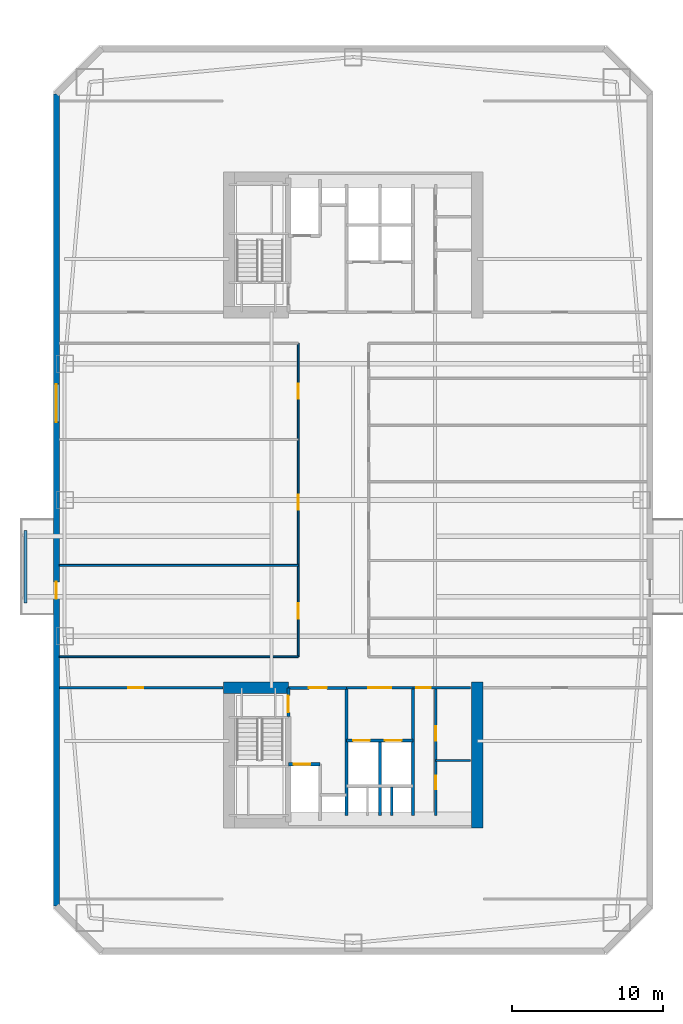
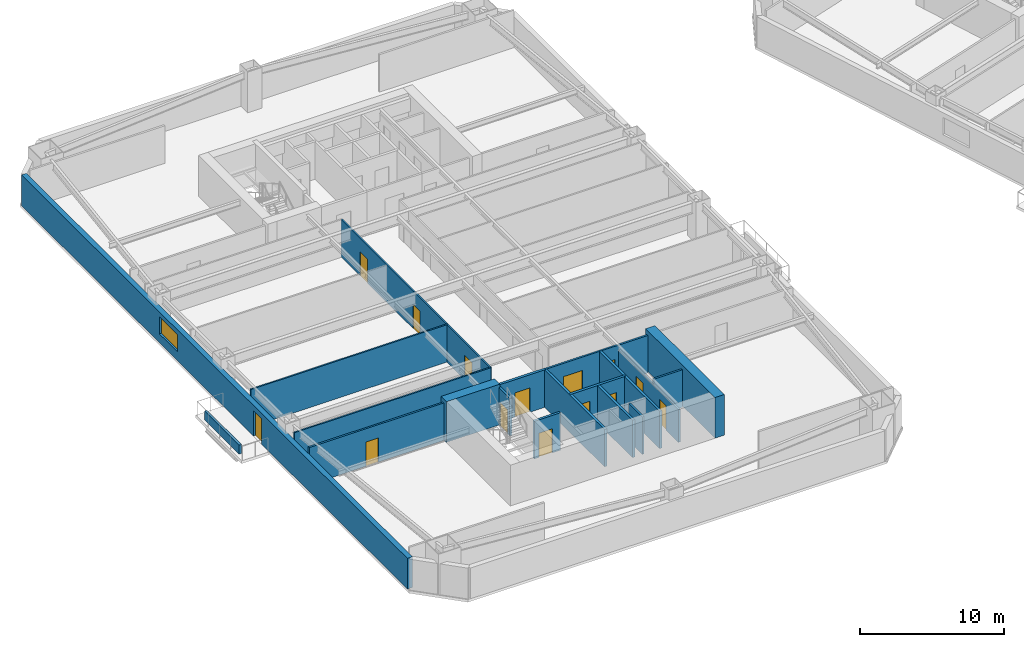
# One storey, part 4 of 15: 20 walls, 14 doors, 1 window, 15 openings.
"""IFC4 building model written with IfcOpenShell, lengths in metres."""

from ifc_helpers import new_model, si_unit, direction, frame, frame_2d, origin, place, context, subcontext, project, spatial, rectangle, extrude, material, layer, layer_set, type_object, element, fill, save


model = new_model("IFC4")

# Units and contexts
model_context = context("Model", 3, precision=1e-05, world=origin(), true_north=direction((0.0, 1.0)))
body_context = subcontext(model_context, "Body", "Model", "MODEL_VIEW")
ifc_project = project(units=[si_unit("LENGTHUNIT", "METRE"), si_unit("AREAUNIT", "SQUARE_METRE"), si_unit("VOLUMEUNIT", "CUBIC_METRE"), si_unit("PLANEANGLEUNIT", "RADIAN"), si_unit("MASSUNIT", "GRAM", prefix="KILO")], contexts=[model_context])

# Site, building, storey
site_placement = place(None, origin())
site = spatial("IfcSite", under=ifc_project, at=site_placement, CompositionType="ELEMENT")
building_placement = place(site_placement, origin())
building = spatial("IfcBuilding", under=site, at=building_placement, Name="Qiaolan Cultural Towers", CompositionType="ELEMENT")
storey_placement = place(building_placement, frame((0.0, 0.0, 60.949951171875)))
storey = spatial("IfcBuildingStorey", under=building, at=storey_placement, Name="L14", CompositionType="ELEMENT", Elevation=60.949951171875)

# Walls
ifc_material_1 = material(Name="Concrete C60", Category="concrete")
ifc_layer_1 = layer(ifc_material_1, 0.75)
ifc_layer_set_1 = layer_set([ifc_layer_1], Name="Concrete C60")
wall_type_1 = type_object("IfcWallType", Name="WL-CORE-750", PredefinedType="SHEAR", material=ifc_layer_set_1)
wall_1_placement = place(storey_placement, frame((38.199951171875, 21.97509765625, 0.0), z_axis=(0.0, 0.0, 1.0), x_axis=(0.0, -1.0, 0.0)))
element("IfcWall", 1, at=wall_1_placement, inside=storey, type_object=wall_type_1, Name="L14 T1-CS East Core Shear Wall", PredefinedType="SHEAR", context=body_context, shape_type="SweptSolid", body=[
    extrude(rectangle(XDim=9.630126953125, YDim=0.75, at=frame_2d((4.81494140625, 0.0))), origin(), (0.0, 0.0, 1.0), 3.449951171875),
])
wall_2_placement = place(storey_placement, frame((21.425048828125, 21.60009765625, 0.0), z_axis=(0.0, 0.0, 1.0), x_axis=(1.0, 0.0, 0.0)))
element("IfcWall", 2, at=wall_2_placement, inside=storey, type_object=wall_type_1, Name="L14 T1-CS Stair Front Shear Wall", PredefinedType="SHEAR", context=body_context, shape_type="SweptSolid", body=[
    extrude(rectangle(XDim=4.294921875, YDim=0.75, at=frame_2d((2.1474609375, 0.0))), origin(), (0.0, 0.0, 1.0), 3.449951171875),
])

# Wall, openings, door, window
ifc_material_2 = material(Name="Precast Concrete C50 Honed Stone Pier", Category="masonry")
ifc_layer_2 = layer(ifc_material_2, 0.39990234375)
ifc_layer_set_2 = layer_set([ifc_layer_2], Name="Precast Concrete C50 Honed Stone Pier")
wall_type_2 = type_object("IfcWallType", Name="WL-EXT-PIER-400", PredefinedType="SOLIDWALL", material=ifc_layer_set_2)
wall_3_placement = place(storey_placement, frame((10.39990234375, 7.199951171875, 0.0), z_axis=(0.0, 0.0, 1.0), x_axis=(0.0, 1.0, 0.0)))
wall_3 = element("IfcWall", 3, at=wall_3_placement, inside=storey, type_object=wall_type_2, Name="L14 West Tower Precast Pier Facade Wall F1", PredefinedType="SOLIDWALL", context=body_context, shape_type="SweptSolid", body=[
    extrude(rectangle(XDim=53.60009765625, YDim=0.39990234375, at=frame_2d((26.800048828125, 0.0))), origin(), (0.0, 0.0, 1.0), 2.610107421875),
])
opening_1_placement = place(wall_3_placement, frame((31.949951171875, 0.0, 0.75)))
opening_1 = element("IfcOpeningElement", 4, at=opening_1_placement, cuts=wall_3, Name="Opening W-01", PredefinedType="OPENING", context=body_context, shape_type="SweptSolid", body=[
    extrude(rectangle(XDim=2.5, YDim=1.4599609375, at=frame_2d((1.25, 0.72998046875))), frame((0.0, 0.2099609375, 0.0), z_axis=(0.0, -1.0, 0.0), x_axis=(1.0, 0.0, 0.0)), (0.0, 0.0, 1.0), 0.419921875),
])
opening_2_placement = place(wall_3_placement, frame((20.29248046875, 0.0, 0.0)))
opening_2 = element("IfcOpeningElement", 5, at=opening_2_placement, cuts=wall_3, Name="Opening BD-01", PredefinedType="OPENING", context=body_context, shape_type="SweptSolid", body=[
    extrude(rectangle(XDim=1.10009765625, YDim=2.14990234375, at=frame_2d((0.550048828125, 1.074951171875))), frame((0.0, 0.2099609375, 0.0), z_axis=(0.0, -1.0, 0.0), x_axis=(1.0, 0.0, 0.0)), (0.0, 0.0, 1.0), 0.419921875),
])
ifc_material_3 = material(Name="Thermally Broken Aluminium Glazed Terrace Door", Category="aluminium")
door_type_1 = type_object("IfcDoorType", Name="DR-BAL-1100", OperationType="NOTDEFINED", PredefinedType="DOOR", material=ifc_material_3)
door_1_placement = place(opening_2_placement, origin())
door_1 = element("IfcDoor", 6, at=door_1_placement, inside=storey, type_object=door_type_1, Name="L14 T1 West Tree Balcony Door", OperationType="SINGLE_SWING_LEFT", OverallHeight=2.14990234375, OverallWidth=1.10009765625, PredefinedType="DOOR", context=body_context, shape_type="SweptSolid", body=[
    extrude(rectangle(XDim=1.10009765625, YDim=2.14990234375, at=frame_2d((0.550048828125, 1.074951171875))), frame((0.0, 0.02490234375, 0.0), z_axis=(0.0, -1.0, 0.0), x_axis=(1.0, 0.0, 0.0)), (0.0, 0.0, 1.0), 0.050048828125),
])
fill(opening_2, door_1)
ifc_material_4 = material(Name="Thermally Broken Aluminium Triple Low-E Glazing", Category="aluminium")
window_type = type_object("IfcWindowType", Name="WN-CHIC-2500", PartitioningType="SINGLE_PANEL", PredefinedType="WINDOW", material=ifc_material_4)
window_placement = place(opening_1_placement, origin())
window = element("IfcWindow", 7, at=window_placement, inside=storey, type_object=window_type, Name="L14 T1 W Chicago Bay Window 1", OverallHeight=1.4599609375, OverallWidth=2.5, PartitioningType="TRIPLE_PANEL_VERTICAL", PredefinedType="WINDOW", context=body_context, shape_type="SweptSolid", body=[
    extrude(rectangle(XDim=2.5, YDim=1.4599609375, at=frame_2d((1.25, 0.72998046875))), frame((0.0, 0.030029296875, 0.0), z_axis=(0.0, -1.0, 0.0), x_axis=(1.0, 0.0, 0.0)), (0.0, 0.0, 1.0), 0.06005859375),
])
fill(opening_1, window)

# Wall, opening, door
ifc_material_5 = material(Name="Concrete C35 Fire Wall", Category="concrete")
ifc_layer_3 = layer(ifc_material_5, 0.199951171875)
ifc_layer_set_3 = layer_set([ifc_layer_3], Name="Concrete C35 Fire Wall")
wall_type_3 = type_object("IfcWallType", Name="WL-FIRE-200", PredefinedType="PARTITIONING", material=ifc_layer_set_3)
wall_4_placement = place(storey_placement, frame((25.719970703125, 21.60009765625, 0.0), z_axis=(0.0, 0.0, 1.0), x_axis=(0.0, -1.0, 0.0)))
wall_4 = element("IfcWall", 8, at=wall_4_placement, inside=storey, type_object=wall_type_3, Name="L14 T1-CS Smokeproof Stair Entry Wall", PredefinedType="PARTITIONING", context=body_context, shape_type="SweptSolid", body=[
    extrude(rectangle(XDim=1.900146484375, YDim=0.199951171875, at=frame_2d((0.9501953125, 0.0))), origin(), (0.0, 0.0, 1.0), 3.175048828125),
])
opening_3_placement = place(wall_4_placement, frame((0.52001953125, 0.0, 0.0)))
opening_3 = element("IfcOpeningElement", 9, at=opening_3_placement, cuts=wall_4, Name="Opening FD-04", PredefinedType="OPENING", context=body_context, shape_type="SweptSolid", body=[
    extrude(rectangle(XDim=1.10009765625, YDim=2.050048828125, at=frame_2d((0.550048828125, 1.02490234375))), frame((0.0, 0.10986328125, 0.0), z_axis=(0.0, -1.0, 0.0), x_axis=(1.0, 0.0, 0.0)), (0.0, 0.0, 1.0), 0.219970703125),
])
ifc_material_6 = material(Name="Galvanized Steel Command Fire Door", Category="steel")
door_type_2 = type_object("IfcDoorType", Name="DR-FD90-1100", OperationType="NOTDEFINED", PredefinedType="DOOR", material=ifc_material_6)
door_2_placement = place(opening_3_placement, origin())
door_2 = element("IfcDoor", 10, at=door_2_placement, inside=storey, type_object=door_type_2, Name="L14 ST-W1 Smokeproof Stair Fire Door", OperationType="SINGLE_SWING_LEFT", OverallHeight=2.050048828125, OverallWidth=1.10009765625, PredefinedType="DOOR", context=body_context, shape_type="SweptSolid", body=[
    extrude(rectangle(XDim=1.10009765625, YDim=2.050048828125, at=frame_2d((0.550048828125, 1.02490234375))), frame((0.0, 0.02490234375, 0.0), z_axis=(0.0, -1.0, 0.0), x_axis=(1.0, 0.0, 0.0)), (0.0, 0.0, 1.0), 0.050048828125),
])
fill(opening_3, door_2)

# Wall
wall_5_placement = place(storey_placement, frame((29.550048828125, 21.60009765625, 0.0), z_axis=(0.0, 0.0, 1.0), x_axis=(0.0, -1.0, 0.0)))
element("IfcWall", 11, at=wall_5_placement, inside=storey, type_object=wall_type_3, Name="L14 T1-CS Firefighting Zone Wall", PredefinedType="PARTITIONING", context=body_context, shape_type="SweptSolid", body=[
    extrude(rectangle(XDim=8.43017578125, YDim=0.199951171875, at=frame_2d((4.215087890625, 0.0))), origin(), (0.0, 0.0, 1.0), 3.175048828125),
])

# Wall, opening, door
wall_6_placement = place(storey_placement, frame((25.719970703125, 21.60009765625, 0.0), z_axis=(0.0, 0.0, 1.0), x_axis=(1.0, 0.0, 0.0)))
wall_6 = element("IfcWall", 12, at=wall_6_placement, inside=storey, type_object=wall_type_3, Name="L14 T1-CS Firefighting Lobby Front Wall", PredefinedType="PARTITIONING", context=body_context, shape_type="SweptSolid", body=[
    extrude(rectangle(XDim=3.830078125, YDim=0.199951171875, at=frame_2d((1.9150390625, 0.0))), origin(), (0.0, 0.0, 1.0), 3.175048828125),
])
opening_4_placement = place(wall_6_placement, frame((1.35009765625, 0.0, 0.0)))
opening_4 = element("IfcOpeningElement", 13, at=opening_4_placement, cuts=wall_6, Name="Opening FD-03", PredefinedType="OPENING", context=body_context, shape_type="SweptSolid", body=[
    extrude(rectangle(XDim=1.199951171875, YDim=2.050048828125, at=frame_2d((0.60009765625, 1.02490234375))), frame((0.0, 0.10986328125, 0.0), z_axis=(0.0, -1.0, 0.0), x_axis=(1.0, 0.0, 0.0)), (0.0, 0.0, 1.0), 0.219970703125),
])
ifc_material_7 = material(Name="Galvanized Steel Smokeproof Lobby Fire Door", Category="steel")
door_type_3 = type_object("IfcDoorType", Name="DR-FD90-1200", OperationType="NOTDEFINED", PredefinedType="DOOR", material=ifc_material_7)
door_3_placement = place(opening_4_placement, origin())
door_3 = element("IfcDoor", 14, at=door_3_placement, inside=storey, type_object=door_type_3, Name="L14 FFL-W1 Firefighting Lobby Fire Door", OperationType="SINGLE_SWING_LEFT", OverallHeight=2.050048828125, OverallWidth=1.199951171875, PredefinedType="DOOR", context=body_context, shape_type="SweptSolid", body=[
    extrude(rectangle(XDim=1.199951171875, YDim=2.050048828125, at=frame_2d((0.60009765625, 1.02490234375))), frame((0.0, 0.02490234375, 0.0), z_axis=(0.0, -1.0, 0.0), x_axis=(1.0, 0.0, 0.0)), (0.0, 0.0, 1.0), 0.050048828125),
])
fill(opening_4, door_3)

wall_7_placement = place(storey_placement, frame((25.719970703125, 16.550048828125, 0.0), z_axis=(0.0, 0.0, 1.0), x_axis=(1.0, 0.0, 0.0)))
wall_7 = element("IfcWall", 15, at=wall_7_placement, inside=storey, type_object=wall_type_3, Name="L14 T1-CS Firefighting Shaft Front Wall", PredefinedType="PARTITIONING", context=body_context, shape_type="SweptSolid", body=[
    extrude(rectangle(XDim=2.10009765625, YDim=0.199951171875, at=frame_2d((1.050048828125, 0.0))), origin(), (0.0, 0.0, 1.0), 3.175048828125),
])
opening_5_placement = place(wall_7_placement, frame((0.35009765625, 0.0, 0.0)))
opening_5 = element("IfcOpeningElement", 16, at=opening_5_placement, cuts=wall_7, Name="Opening LD-01", PredefinedType="OPENING", context=body_context, shape_type="SweptSolid", body=[
    extrude(rectangle(XDim=1.10009765625, YDim=2.050048828125, at=frame_2d((0.550048828125, 1.02490234375))), frame((0.0, 0.10986328125, 0.0), z_axis=(0.0, -1.0, 0.0), x_axis=(1.0, 0.0, 0.0)), (0.0, 0.0, 1.0), 0.219970703125),
])
ifc_material_8 = material(Name="Brushed Stainless Steel S30408 Centre-Parting Lift Landing Door", Category="steel")
door_type_4 = type_object("IfcDoorType", Name="DR-LIFT-1100", OperationType="NOTDEFINED", PredefinedType="DOOR", material=ifc_material_8)
door_4_placement = place(opening_5_placement, origin())
door_4 = element("IfcDoor", 17, at=door_4_placement, inside=storey, type_object=door_type_4, Name="L14 FFL-W1 Firefighting Lift Landing Door", OperationType="DOUBLE_DOOR_SLIDING", OverallHeight=2.050048828125, OverallWidth=1.10009765625, PredefinedType="DOOR", context=body_context, shape_type="SweptSolid", body=[
    extrude(rectangle(XDim=1.10009765625, YDim=2.050048828125, at=frame_2d((0.550048828125, 1.02490234375))), frame((0.0, 0.02490234375, 0.0), z_axis=(0.0, -1.0, 0.0), x_axis=(1.0, 0.0, 0.0)), (0.0, 0.0, 1.0), 0.050048828125),
])
fill(opening_5, door_4)

# Wall
wall_8_placement = place(storey_placement, frame((33.949951171875, 21.60009765625, 0.0), z_axis=(0.0, 0.0, 1.0), x_axis=(0.0, -1.0, 0.0)))
element("IfcWall", 18, at=wall_8_placement, inside=storey, type_object=wall_type_3, Name="L14 T1-CS Lift Core East Wall", PredefinedType="PARTITIONING", context=body_context, shape_type="SweptSolid", body=[
    extrude(rectangle(XDim=8.43017578125, YDim=0.199951171875, at=frame_2d((4.215087890625, 0.0))), origin(), (0.0, 0.0, 1.0), 3.175048828125),
])

# Wall, openings, doors
wall_9_placement = place(storey_placement, frame((29.550048828125, 18.1201171875, 0.0), z_axis=(0.0, 0.0, 1.0), x_axis=(1.0, 0.0, 0.0)))
wall_9 = element("IfcWall", 19, at=wall_9_placement, inside=storey, type_object=wall_type_3, Name="L14 T1-CS Passenger Lift Shaft Front Wall", PredefinedType="PARTITIONING", context=body_context, shape_type="SweptSolid", body=[
    extrude(rectangle(XDim=4.39990234375, YDim=0.199951171875, at=frame_2d((2.199951171875, 0.0))), origin(), (0.0, 0.0, 1.0), 3.175048828125),
])
opening_6_placement = place(wall_9_placement, frame((0.449951171875, 0.0, 0.0)))
opening_6 = element("IfcOpeningElement", 20, at=opening_6_placement, cuts=wall_9, Name="Opening LD-01", PredefinedType="OPENING", context=body_context, shape_type="SweptSolid", body=[
    extrude(rectangle(XDim=1.10009765625, YDim=2.050048828125, at=frame_2d((0.550048828125, 1.02490234375))), frame((0.0, 0.10986328125, 0.0), z_axis=(0.0, -1.0, 0.0), x_axis=(1.0, 0.0, 0.0)), (0.0, 0.0, 1.0), 0.219970703125),
])
opening_7_placement = place(wall_9_placement, frame((2.550048828125, 0.0, 0.0)))
opening_7 = element("IfcOpeningElement", 21, at=opening_7_placement, cuts=wall_9, Name="Opening LD-01", PredefinedType="OPENING", context=body_context, shape_type="SweptSolid", body=[
    extrude(rectangle(XDim=1.10009765625, YDim=2.050048828125, at=frame_2d((0.550048828125, 1.02490234375))), frame((0.0, 0.10986328125, 0.0), z_axis=(0.0, -1.0, 0.0), x_axis=(1.0, 0.0, 0.0)), (0.0, 0.0, 1.0), 0.219970703125),
])
door_5_placement = place(opening_6_placement, origin())
door_5 = element("IfcDoor", 22, at=door_5_placement, inside=storey, type_object=door_type_4, Name="L14 Passenger Lift 1 Landing Door", OperationType="DOUBLE_DOOR_SLIDING", OverallHeight=2.050048828125, OverallWidth=1.10009765625, PredefinedType="DOOR", context=body_context, shape_type="SweptSolid", body=[
    extrude(rectangle(XDim=1.10009765625, YDim=2.050048828125, at=frame_2d((0.550048828125, 1.02490234375))), frame((0.0, 0.02490234375, 0.0), z_axis=(0.0, -1.0, 0.0), x_axis=(1.0, 0.0, 0.0)), (0.0, 0.0, 1.0), 0.050048828125),
])
fill(opening_6, door_5)
door_6_placement = place(opening_7_placement, origin())
door_6 = element("IfcDoor", 23, at=door_6_placement, inside=storey, type_object=door_type_4, Name="L14 Passenger Lift 2 Landing Door", OperationType="DOUBLE_DOOR_SLIDING", OverallHeight=2.050048828125, OverallWidth=1.10009765625, PredefinedType="DOOR", context=body_context, shape_type="SweptSolid", body=[
    extrude(rectangle(XDim=1.10009765625, YDim=2.050048828125, at=frame_2d((0.550048828125, 1.02490234375))), frame((0.0, 0.02490234375, 0.0), z_axis=(0.0, -1.0, 0.0), x_axis=(1.0, 0.0, 0.0)), (0.0, 0.0, 1.0), 0.050048828125),
])
fill(opening_7, door_6)

# Walls
wall_10_placement = place(storey_placement, frame((31.780029296875, 18.1201171875, 0.0), z_axis=(0.0, 0.0, 1.0), x_axis=(0.0, -1.0, 0.0)))
element("IfcWall", 24, at=wall_10_placement, inside=storey, type_object=wall_type_3, Name="L14 T1-CS Lift Shaft Divider Wall", PredefinedType="PARTITIONING", context=body_context, shape_type="SweptSolid", body=[
    extrude(rectangle(XDim=4.9501953125, YDim=0.199951171875, at=frame_2d((2.47509765625, 0.0))), origin(), (0.0, 0.0, 1.0), 3.175048828125),
])
ifc_material_9 = material(Name="Gypsum Stud Acoustic Partition", Category="gypsum")
ifc_layer_4 = layer(ifc_material_9, 0.1201171875)
ifc_layer_set_4 = layer_set([ifc_layer_4], Name="Gypsum Stud Acoustic Partition")
wall_type_4 = type_object("IfcWallType", Name="WL-PART-120", PredefinedType="PARTITIONING", material=ifc_layer_set_4)
wall_11_placement = place(storey_placement, frame((10.60009765625, 23.64990234375, 0.0), z_axis=(0.0, 0.0, 1.0), x_axis=(1.0, 0.0, 0.0)))
element("IfcWall", 25, at=wall_11_placement, inside=storey, type_object=wall_type_4, Name="L14 T1 South Corridor Left Wall", PredefinedType="PARTITIONING", context=body_context, shape_type="SweptSolid", body=[
    extrude(rectangle(XDim=15.77490234375, YDim=0.1201171875, at=frame_2d((7.887451171875, 0.0))), origin(), (0.0, 0.0, 1.0), 3.175048828125),
])

# Wall, openings, doors
wall_12_placement = place(storey_placement, frame((26.375, 23.64990234375, 0.0), z_axis=(0.0, 0.0, 1.0), x_axis=(0.0, 1.0, 0.0)))
wall_12 = element("IfcWall", 26, at=wall_12_placement, inside=storey, type_object=wall_type_4, Name="L14 T1 West Spine Wall", PredefinedType="PARTITIONING", context=body_context, shape_type="SweptSolid", body=[
    extrude(rectangle(XDim=20.7001953125, YDim=0.1201171875, at=frame_2d((10.35009765625, 0.0))), origin(), (0.0, 0.0, 1.0), 3.175048828125),
])
opening_8_placement = place(wall_12_placement, frame((2.517578125, 0.0, 0.0)))
opening_8 = element("IfcOpeningElement", 27, at=opening_8_placement, cuts=wall_12, Name="Opening ID-04", PredefinedType="OPENING", context=body_context, shape_type="SweptSolid", body=[
    extrude(rectangle(XDim=1.0, YDim=2.050048828125, at=frame_2d((0.5, 1.02490234375))), frame((0.0, 0.070068359375, 0.0), z_axis=(0.0, -1.0, 0.0), x_axis=(1.0, 0.0, 0.0)), (0.0, 0.0, 1.0), 0.14013671875),
])
opening_9_placement = place(wall_12_placement, frame((9.6923828125, 0.0, 0.0)))
opening_9 = element("IfcOpeningElement", 28, at=opening_9_placement, cuts=wall_12, Name="Opening ID-04", PredefinedType="OPENING", context=body_context, shape_type="SweptSolid", body=[
    extrude(rectangle(XDim=1.0, YDim=2.050048828125, at=frame_2d((0.5, 1.02490234375))), frame((0.0, 0.070068359375, 0.0), z_axis=(0.0, -1.0, 0.0), x_axis=(1.0, 0.0, 0.0)), (0.0, 0.0, 1.0), 0.14013671875),
])
opening_10_placement = place(wall_12_placement, frame((17.02490234375, 0.0, 0.0)))
opening_10 = element("IfcOpeningElement", 29, at=opening_10_placement, cuts=wall_12, Name="Opening ID-04", PredefinedType="OPENING", context=body_context, shape_type="SweptSolid", body=[
    extrude(rectangle(XDim=1.0, YDim=2.050048828125, at=frame_2d((0.5, 1.02490234375))), frame((0.0, 0.070068359375, 0.0), z_axis=(0.0, -1.0, 0.0), x_axis=(1.0, 0.0, 0.0)), (0.0, 0.0, 1.0), 0.14013671875),
])
ifc_material_10 = material(Name="Oak Veneer Acoustic Office Door", Category="timber")
door_type_5 = type_object("IfcDoorType", Name="DR-INT-1000", OperationType="NOTDEFINED", PredefinedType="DOOR", material=ifc_material_10)
door_7_placement = place(opening_8_placement, origin())
door_7 = element("IfcDoor", 30, at=door_7_placement, inside=storey, type_object=door_type_5, Name="L14 T1 Contemporary Art Salon Door", OperationType="SINGLE_SWING_LEFT", OverallHeight=2.050048828125, OverallWidth=1.0, PredefinedType="DOOR", context=body_context, shape_type="SweptSolid", body=[
    extrude(rectangle(XDim=1.0, YDim=2.050048828125, at=frame_2d((0.5, 1.02490234375))), frame((0.0, 0.02490234375, 0.0), z_axis=(0.0, -1.0, 0.0), x_axis=(1.0, 0.0, 0.0)), (0.0, 0.0, 1.0), 0.050048828125),
])
fill(opening_8, door_7)
door_8_placement = place(opening_9_placement, origin())
door_8 = element("IfcDoor", 31, at=door_8_placement, inside=storey, type_object=door_type_5, Name="L14 T1 Contemporary Art Salon Door", OperationType="SINGLE_SWING_RIGHT", OverallHeight=2.050048828125, OverallWidth=1.0, PredefinedType="DOOR", context=body_context, shape_type="SweptSolid", body=[
    extrude(rectangle(XDim=1.0, YDim=2.050048828125, at=frame_2d((0.5, 1.02490234375))), frame((0.0, 0.02490234375, 0.0), z_axis=(0.0, -1.0, 0.0), x_axis=(1.0, 0.0, 0.0)), (0.0, 0.0, 1.0), 0.050048828125),
])
fill(opening_9, door_8)
door_9_placement = place(opening_10_placement, origin())
door_9 = element("IfcDoor", 32, at=door_9_placement, inside=storey, type_object=door_type_5, Name="L14 T1 Members Reading Club Door", OperationType="SINGLE_SWING_LEFT", OverallHeight=2.050048828125, OverallWidth=1.0, PredefinedType="DOOR", context=body_context, shape_type="SweptSolid", body=[
    extrude(rectangle(XDim=1.0, YDim=2.050048828125, at=frame_2d((0.5, 1.02490234375))), frame((0.0, 0.02490234375, 0.0), z_axis=(0.0, -1.0, 0.0), x_axis=(1.0, 0.0, 0.0)), (0.0, 0.0, 1.0), 0.050048828125),
])
fill(opening_10, door_9)

# Wall
wall_13_placement = place(storey_placement, frame((10.60009765625, 29.68505859375, 0.0), z_axis=(0.0, 0.0, 1.0), x_axis=(1.0, 0.0, 0.0)))
element("IfcWall", 33, at=wall_13_placement, inside=storey, type_object=wall_type_4, Name="L14 T1 West Partition 1", PredefinedType="PARTITIONING", context=body_context, shape_type="SweptSolid", body=[
    extrude(rectangle(XDim=15.77490234375, YDim=0.1201171875, at=frame_2d((7.887451171875, 0.0))), origin(), (0.0, 0.0, 1.0), 3.175048828125),
])

# Wall, opening, door
ifc_material_11 = material(Name="Autoclaved Aerated Concrete Block B06", Category="concrete")
ifc_layer_5 = layer(ifc_material_11, 0.14990234375)
ifc_layer_set_5 = layer_set([ifc_layer_5], Name="Autoclaved Aerated Concrete Block B06")
wall_type_5 = type_object("IfcWallType", Name="WL-PART-150", PredefinedType="PARTITIONING", material=ifc_layer_set_5)
wall_14_placement = place(storey_placement, frame((29.550048828125, 21.60009765625, 0.0), z_axis=(0.0, 0.0, 1.0), x_axis=(1.0, 0.0, 0.0)))
wall_14 = element("IfcWall", 34, at=wall_14_placement, inside=storey, type_object=wall_type_5, Name="L14 T1-CS Passenger Lift Lobby Front Wall", PredefinedType="PARTITIONING", context=body_context, shape_type="SweptSolid", body=[
    extrude(rectangle(XDim=4.39990234375, YDim=0.14990234375, at=frame_2d((2.199951171875, 0.0))), origin(), (0.0, 0.0, 1.0), 3.175048828125),
])
opening_11_placement = place(wall_14_placement, frame((1.449951171875, 0.0, 0.0)))
opening_11 = element("IfcOpeningElement", 35, at=opening_11_placement, cuts=wall_14, Name="Opening FD-05", PredefinedType="OPENING", context=body_context, shape_type="SweptSolid", body=[
    extrude(rectangle(XDim=1.5, YDim=2.050048828125, at=frame_2d((0.75, 1.02490234375))), frame((0.0, 0.0849609375, 0.0), z_axis=(0.0, -1.0, 0.0), x_axis=(1.0, 0.0, 0.0)), (0.0, 0.0, 1.0), 0.169921875),
])
ifc_material_12 = material(Name="Painted Steel Lift Lobby Fire Door", Category="steel")
door_type_6 = type_object("IfcDoorType", Name="DR-FD60-1500", OperationType="NOTDEFINED", PredefinedType="DOOR", material=ifc_material_12)
door_10_placement = place(opening_11_placement, origin())
door_10 = element("IfcDoor", 36, at=door_10_placement, inside=storey, type_object=door_type_6, Name="L14 Passenger Lift Lobby Entrance", OperationType="SINGLE_SWING_LEFT", OverallHeight=2.050048828125, OverallWidth=1.5, PredefinedType="DOOR", context=body_context, shape_type="SweptSolid", body=[
    extrude(rectangle(XDim=1.5, YDim=2.050048828125, at=frame_2d((0.75, 1.02490234375))), frame((0.0, 0.02490234375, 0.0), z_axis=(0.0, -1.0, 0.0), x_axis=(1.0, 0.0, 0.0)), (0.0, 0.0, 1.0), 0.050048828125),
])
fill(opening_11, door_10)

# Wall
wall_15_placement = place(storey_placement, frame((32.550048828125, 15.050048828125, 0.0), z_axis=(0.0, 0.0, 1.0), x_axis=(0.0, -1.0, 0.0)))
element("IfcWall", 37, at=wall_15_placement, inside=storey, type_object=wall_type_5, Name="L14 T1-CS Core Rear Split 2", PredefinedType="PARTITIONING", context=body_context, shape_type="SweptSolid", body=[
    extrude(rectangle(XDim=1.880126953125, YDim=0.14990234375, at=frame_2d((0.93994140625, 0.0))), origin(), (0.0, 0.0, 1.0), 3.175048828125),
])

# Wall, opening, door
wall_16_placement = place(storey_placement, frame((33.949951171875, 21.60009765625, 0.0), z_axis=(0.0, 0.0, 1.0), x_axis=(1.0, 0.0, 0.0)))
wall_16 = element("IfcWall", 38, at=wall_16_placement, inside=storey, type_object=wall_type_5, Name="L14 T1-CS Sanitary Core Front Wall", PredefinedType="PARTITIONING", context=body_context, shape_type="SweptSolid", body=[
    extrude(rectangle(XDim=3.800048828125, YDim=0.14990234375, at=frame_2d((1.89990234375, 0.0))), origin(), (0.0, 0.0, 1.0), 3.175048828125),
])
opening_12_placement = place(wall_16_placement, frame((0.219970703125, 0.0, 0.0)))
opening_12 = element("IfcOpeningElement", 39, at=opening_12_placement, cuts=wall_16, Name="Opening ID-05", PredefinedType="OPENING", context=body_context, shape_type="SweptSolid", body=[
    extrude(rectangle(XDim=0.949951171875, YDim=2.050048828125, at=frame_2d((0.47509765625, 1.02490234375))), frame((0.0, 0.0849609375, 0.0), z_axis=(0.0, -1.0, 0.0), x_axis=(1.0, 0.0, 0.0)), (0.0, 0.0, 1.0), 0.169921875),
])
ifc_material_13 = material(Name="Fire-Rated Laminate Accessible Core Door", Category="timber")
door_type_7 = type_object("IfcDoorType", Name="DR-INT-950", OperationType="NOTDEFINED", PredefinedType="DOOR", material=ifc_material_13)
door_11_placement = place(opening_12_placement, origin())
door_11 = element("IfcDoor", 40, at=door_11_placement, inside=storey, type_object=door_type_7, Name="L14 Sanitary Lobby Door", OperationType="SINGLE_SWING_LEFT", OverallHeight=2.050048828125, OverallWidth=0.949951171875, PredefinedType="DOOR", context=body_context, shape_type="SweptSolid", body=[
    extrude(rectangle(XDim=0.949951171875, YDim=2.050048828125, at=frame_2d((0.47509765625, 1.02490234375))), frame((0.0, 0.02490234375, 0.0), z_axis=(0.0, -1.0, 0.0), x_axis=(1.0, 0.0, 0.0)), (0.0, 0.0, 1.0), 0.050048828125),
])
fill(opening_12, door_11)

# Wall, openings, doors
wall_17_placement = place(storey_placement, frame((35.449951171875, 21.60009765625, 0.0), z_axis=(0.0, 0.0, 1.0), x_axis=(0.0, -1.0, 0.0)))
wall_17 = element("IfcWall", 41, at=wall_17_placement, inside=storey, type_object=wall_type_5, Name="L14 T1-CS Washroom Split Wall", PredefinedType="PARTITIONING", context=body_context, shape_type="SweptSolid", body=[
    extrude(rectangle(XDim=8.43017578125, YDim=0.14990234375, at=frame_2d((4.215087890625, 0.0))), origin(), (0.0, 0.0, 1.0), 2.76513671875),
])
opening_13_placement = place(wall_17_placement, frame((2.550048828125, 0.0, 0.0)))
opening_13 = element("IfcOpeningElement", 42, at=opening_13_placement, cuts=wall_17, Name="Opening ID-05", PredefinedType="OPENING", context=body_context, shape_type="SweptSolid", body=[
    extrude(rectangle(XDim=0.949951171875, YDim=2.050048828125, at=frame_2d((0.47509765625, 1.02490234375))), frame((0.0, 0.0849609375, 0.0), z_axis=(0.0, -1.0, 0.0), x_axis=(1.0, 0.0, 0.0)), (0.0, 0.0, 1.0), 0.169921875),
])
opening_14_placement = place(wall_17_placement, frame((5.800048828125, 0.0, 0.0)))
opening_14 = element("IfcOpeningElement", 43, at=opening_14_placement, cuts=wall_17, Name="Opening ID-06", PredefinedType="OPENING", context=body_context, shape_type="SweptSolid", body=[
    extrude(rectangle(XDim=0.89990234375, YDim=2.050048828125, at=frame_2d((0.449951171875, 1.02490234375))), frame((0.0, 0.0849609375, 0.0), z_axis=(0.0, -1.0, 0.0), x_axis=(1.0, 0.0, 0.0)), (0.0, 0.0, 1.0), 0.169921875),
])
ifc_material_14 = material(Name="Fire-Rated Laminate Core Service Door", Category="timber")
door_type_8 = type_object("IfcDoorType", Name="DR-INT-900", OperationType="NOTDEFINED", PredefinedType="DOOR", material=ifc_material_14)
door_12_placement = place(opening_14_placement, origin())
door_12 = element("IfcDoor", 44, at=door_12_placement, inside=storey, type_object=door_type_8, Name="L14 First-Aid Room Door", OperationType="SINGLE_SWING_RIGHT", OverallHeight=2.050048828125, OverallWidth=0.89990234375, PredefinedType="DOOR", context=body_context, shape_type="SweptSolid", body=[
    extrude(rectangle(XDim=0.89990234375, YDim=2.050048828125, at=frame_2d((0.449951171875, 1.02490234375))), frame((0.0, 0.02490234375, 0.0), z_axis=(0.0, -1.0, 0.0), x_axis=(1.0, 0.0, 0.0)), (0.0, 0.0, 1.0), 0.050048828125),
])
fill(opening_14, door_12)
door_13_placement = place(opening_13_placement, origin())
door_13 = element("IfcDoor", 45, at=door_13_placement, inside=storey, type_object=door_type_7, Name="L14 Accessible Washroom Door", OperationType="SINGLE_SWING_LEFT", OverallHeight=2.050048828125, OverallWidth=0.949951171875, PredefinedType="DOOR", context=body_context, shape_type="SweptSolid", body=[
    extrude(rectangle(XDim=0.949951171875, YDim=2.050048828125, at=frame_2d((0.47509765625, 1.02490234375))), frame((0.0, 0.02490234375, 0.0), z_axis=(0.0, -1.0, 0.0), x_axis=(1.0, 0.0, 0.0)), (0.0, 0.0, 1.0), 0.050048828125),
])
fill(opening_13, door_13)

# Wall
wall_18_placement = place(storey_placement, frame((35.449951171875, 16.800048828125, 0.0), z_axis=(0.0, 0.0, 1.0), x_axis=(1.0, 0.0, 0.0)))
element("IfcWall", 46, at=wall_18_placement, inside=storey, type_object=wall_type_5, Name="L14 T1-CS First-Aid Wall", PredefinedType="PARTITIONING", context=body_context, shape_type="SweptSolid", body=[
    extrude(rectangle(XDim=2.300048828125, YDim=0.14990234375, at=frame_2d((1.14990234375, 0.0))), origin(), (0.0, 0.0, 1.0), 3.175048828125),
])

# Wall, opening, door
wall_19_placement = place(storey_placement, frame((10.60009765625, 21.60009765625, 0.0), z_axis=(0.0, 0.0, 1.0), x_axis=(1.0, 0.0, 0.0)))
wall_19 = element("IfcWall", 47, at=wall_19_placement, inside=storey, type_object=wall_type_5, Name="L14 T1 Flank Front FLK-SW", PredefinedType="PARTITIONING", context=body_context, shape_type="SweptSolid", body=[
    extrude(rectangle(XDim=10.7998046875, YDim=0.14990234375, at=frame_2d((5.39990234375, 0.0))), origin(), (0.0, 0.0, 1.0), 3.175048828125),
])
opening_15_placement = place(wall_19_placement, frame((4.535888671875, 0.0, 0.0)))
opening_15 = element("IfcOpeningElement", 48, at=opening_15_placement, cuts=wall_19, Name="Opening ID-04", PredefinedType="OPENING", context=body_context, shape_type="SweptSolid", body=[
    extrude(rectangle(XDim=1.0, YDim=2.050048828125, at=frame_2d((0.5, 1.02490234375))), frame((0.0, 0.0849609375, 0.0), z_axis=(0.0, -1.0, 0.0), x_axis=(1.0, 0.0, 0.0)), (0.0, 0.0, 1.0), 0.169921875),
])
door_14_placement = place(opening_15_placement, origin())
door_14 = element("IfcDoor", 49, at=door_14_placement, inside=storey, type_object=door_type_5, Name="L14 T1 Corner Studio Door", OperationType="SINGLE_SWING_LEFT", OverallHeight=2.050048828125, OverallWidth=1.0, PredefinedType="DOOR", context=body_context, shape_type="SweptSolid", body=[
    extrude(rectangle(XDim=1.0, YDim=2.050048828125, at=frame_2d((0.5, 1.02490234375))), frame((0.0, 0.02490234375, 0.0), z_axis=(0.0, -1.0, 0.0), x_axis=(1.0, 0.0, 0.0)), (0.0, 0.0, 1.0), 0.050048828125),
])
fill(opening_15, door_14)

# Wall
ifc_material_15 = material(Name="Precast Concrete C45 Tree Planter Upstand", Category="concrete")
ifc_layer_6 = layer(ifc_material_15, 0.199951171875)
ifc_layer_set_6 = layer_set([ifc_layer_6], Name="Precast Concrete C45 Tree Planter Upstand")
wall_type_6 = type_object("IfcWallType", Name="WL-PLANTER-200", PredefinedType="PARAPET", material=ifc_layer_set_6)
wall_20_placement = place(storey_placement, frame((8.35009765625, 27.199951171875, 0.0), z_axis=(0.0, 0.0, 1.0), x_axis=(0.0, 1.0, 0.0)))
element("IfcWall", 50, at=wall_20_placement, inside=storey, type_object=wall_type_6, Name="L14 T1 Tree Balcony Soil Planter Box W", PredefinedType="PARAPET", context=body_context, shape_type="SweptSolid", body=[
    extrude(rectangle(XDim=4.800048828125, YDim=0.199951171875, at=frame_2d((2.39990234375, 0.0))), origin(), (0.0, 0.0, 1.0), 0.75),
])

save(model, "model.ifc")
